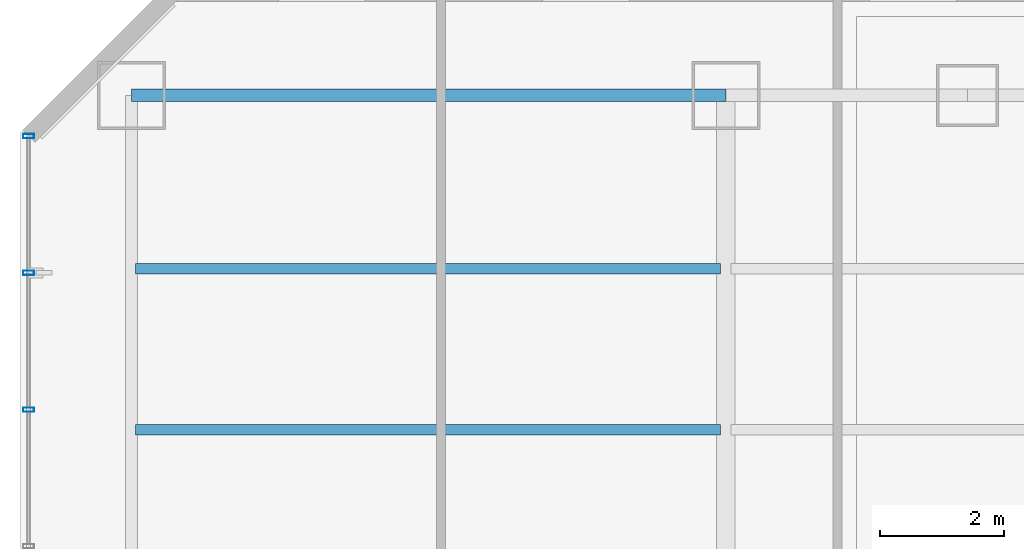
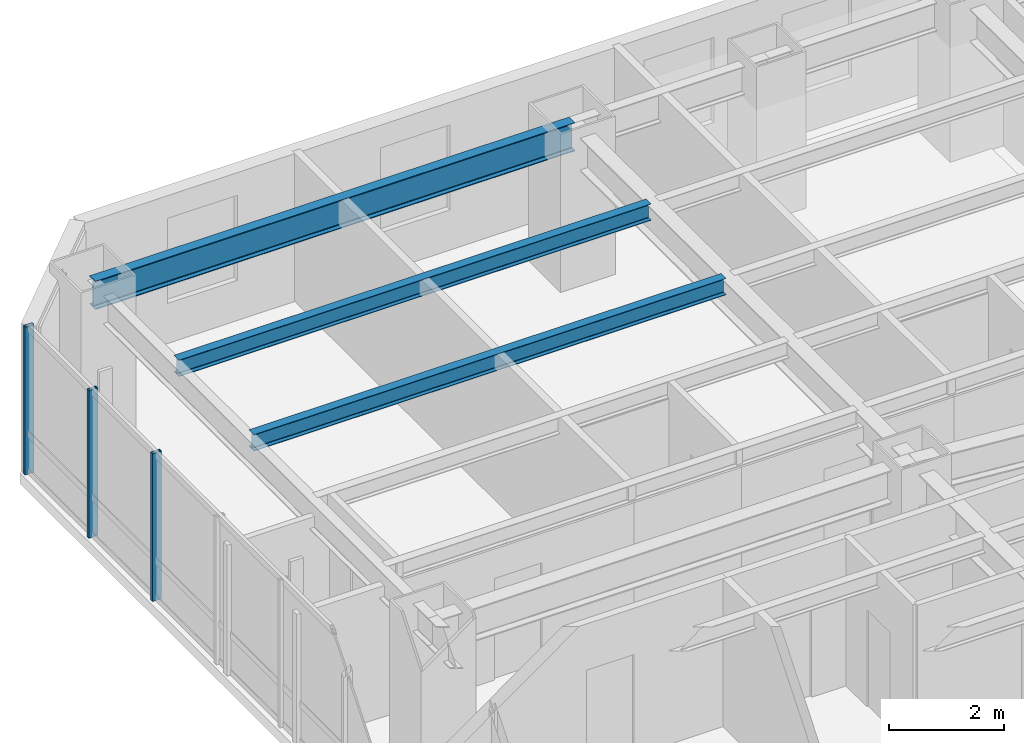
# One storey, part 16 of 37: 3 beams, 3 members, 1 element without a shape of its own.
"""IFC4 building model written with IfcOpenShell, lengths in metres."""

from ifc_helpers import new_model, si_unit, direction, frame, origin, origin_2d, place, context, subcontext, project, spatial, hollow_rectangle, i_section, extrude, material, layer, layer_set, material_profile, profile_set, type_object, element, aggregate, save


model = new_model("IFC4")

# Units and contexts
model_context = context("Model", 3, precision=1e-05, world=origin(), true_north=direction((0.0, 1.0)))
body_context = subcontext(model_context, "Body", "Model", "MODEL_VIEW")
ifc_project = project(units=[si_unit("LENGTHUNIT", "METRE"), si_unit("AREAUNIT", "SQUARE_METRE"), si_unit("VOLUMEUNIT", "CUBIC_METRE"), si_unit("PLANEANGLEUNIT", "RADIAN"), si_unit("MASSUNIT", "GRAM", prefix="KILO")], contexts=[model_context])

# Site, building, storey
site_placement = place(None, origin())
site = spatial("IfcSite", under=ifc_project, at=site_placement, CompositionType="ELEMENT")
building_placement = place(site_placement, origin())
building = spatial("IfcBuilding", under=site, at=building_placement, Name="Hatsunagi Terrace Concourse", CompositionType="ELEMENT")
storey_placement = place(building_placement, frame((0.0, 0.0, 50.0)))
storey = spatial("IfcBuildingStorey", under=building, at=storey_placement, Name="L12", CompositionType="ELEMENT", Elevation=50.0)

# Curtain wall, members
ifc_material_1 = material(Name="Anodised Aluminium Alloy 6063-T5", Category="aluminium")
ifc_layer = layer(ifc_material_1, 0.199951171875)
ifc_layer_set = layer_set([ifc_layer], Name="HotelFacade_CW02")
curtain_wall_type = type_object("IfcCurtainWallType", Name="HotelFacade_CW02", PredefinedType="NOTDEFINED", material=ifc_layer_set)
curtain_wall_placement = place(storey_placement, origin())
curtain_wall = element("IfcCurtainWall", 1, at=curtain_wall_placement, inside=storey, type_object=curtain_wall_type, Name="Unitised Curtain Wall CW-02 CW-L12-09", PredefinedType="NOTDEFINED")
ifc_material_2 = material(Name="Anodised Aluminium Alloy 6063-T5", Category="aluminium")
ifc_material_profile_1 = material_profile(ifc_material_2, hollow_rectangle(XDim=0.070068359375, YDim=0.179931640625, WallThickness=0.00390625, at=origin_2d()), Name="ALU-MUL-180x70x4")
ifc_profile_set_1 = profile_set([ifc_material_profile_1], Name="Anodised Aluminium Alloy 6063-T5")
member_type = type_object("IfcMemberType", Name="CurtainWallMullion_180x70", PredefinedType="MULLION", material=ifc_profile_set_1)
member_1_placement = place(storey_placement, frame((0.139892578125, 43.52490234375, 0.0), z_axis=(0.0, 0.0, 1.0), x_axis=(0.0, 1.0, 0.0)))
member_1 = element("IfcMember", 2, at=member_1_placement, type_object=member_type, Name="Curtain Wall Mullion MUL-02", PredefinedType="MULLION", context=body_context, shape_type="SweptSolid", body=[
    extrude(hollow_rectangle(XDim=0.070068359375, YDim=0.179931640625, WallThickness=0.00390625, at=origin_2d()), origin(), (0.0, 0.0, 1.0), 3.1298828125),
])
member_2_placement = place(storey_placement, frame((0.139892578125, 45.73388671875, 0.0), z_axis=(0.0, 0.0, 1.0), x_axis=(0.0, 1.0, 0.0)))
member_2 = element("IfcMember", 3, at=member_2_placement, type_object=member_type, Name="Curtain Wall Mullion MUL-02", PredefinedType="MULLION", context=body_context, shape_type="SweptSolid", body=[
    extrude(hollow_rectangle(XDim=0.070068359375, YDim=0.179931640625, WallThickness=0.00390625, at=origin_2d()), origin(), (0.0, 0.0, 1.0), 3.1298828125),
])
member_3_placement = place(storey_placement, frame((0.139892578125, 47.94189453125, 0.0), z_axis=(0.0, 0.0, 1.0), x_axis=(0.0, 1.0, 0.0)))
member_3 = element("IfcMember", 4, at=member_3_placement, type_object=member_type, Name="Curtain Wall Mullion MUL-02", PredefinedType="MULLION", context=body_context, shape_type="SweptSolid", body=[
    extrude(hollow_rectangle(XDim=0.070068359375, YDim=0.179931640625, WallThickness=0.00390625, at=origin_2d()), origin(), (0.0, 0.0, 1.0), 3.1298828125),
])
aggregate(curtain_wall, [member_1, member_2, member_3])

# Beams
ifc_material_3 = material(Name="Steel SN490B", Category="steel")
ifc_material_profile_2 = material_profile(ifc_material_3, i_section(OverallWidth=0.175048828125, OverallDepth=0.35009765625, WebThickness=0.007080078125, FlangeThickness=0.010986328125, FilletRadius=0.012939453125, at=origin_2d()), Name="H-350x175x7x11")
ifc_profile_set_2 = profile_set([ifc_material_profile_2], Name="Steel SN490B")
beam_type_1 = type_object("IfcBeamType", Name="HotelJoist_H_350x175", PredefinedType="JOIST", material=ifc_profile_set_2)
for number, where, z_axis, x_axis, name in (
    (5, (1.864990234375, 43.199951171875, 2.955078125), (1.0, 0.0, 0.0), (0.0, 1.0, 0.0), "Beam J-02 J-L12-W-1-432"),
    (6, (1.864990234375, 45.800048828125, 2.955078125), (1.0, 0.0, 0.0), (0.0, 1.0, 0.0), "Beam J-02 J-L12-W-1-458"),
):
    element("IfcBeam", number, at=place(storey_placement, frame(where, z_axis=z_axis, x_axis=x_axis)), inside=storey, type_object=beam_type_1, Name=name, PredefinedType="JOIST", context=body_context, shape_type="SweptSolid", body=[
        extrude(i_section(OverallWidth=0.175048828125, OverallDepth=0.35009765625, WebThickness=0.007080078125, FlangeThickness=0.010986328125, FilletRadius=0.012939453125, at=origin_2d()), origin(), (0.0, 0.0, 1.0), 9.449951171875),
    ])
ifc_material_4 = material(Name="Steel SN490B", Category="steel")
ifc_material_profile_3 = material_profile(ifc_material_4, i_section(OverallWidth=0.199951171875, OverallDepth=0.60009765625, WebThickness=0.010986328125, FlangeThickness=0.01708984375, FilletRadius=0.01806640625, at=origin_2d()), Name="H-600x200x11x17")
ifc_profile_set_3 = profile_set([ifc_material_profile_3], Name="Steel SN490B")
beam_type_2 = type_object("IfcBeamType", Name="PerimeterSpandrel_H_600x200", PredefinedType="SPANDREL", material=ifc_profile_set_3)
beam_placement = place(storey_placement, frame((1.800048828125, 48.60009765625, 2.830078125), z_axis=(1.0, 0.0, 0.0), x_axis=(0.0, 1.0, 0.0)))
element("IfcBeam", 7, at=beam_placement, inside=storey, type_object=beam_type_2, Name="Beam SP-01 BM-L12-WN-1", PredefinedType="SPANDREL", context=body_context, shape_type="SweptSolid", body=[
    extrude(i_section(OverallWidth=0.199951171875, OverallDepth=0.60009765625, WebThickness=0.010986328125, FlangeThickness=0.01708984375, FilletRadius=0.01806640625, at=origin_2d()), origin(), (0.0, 0.0, 1.0), 9.599853515625),
])

save(model, "model.ifc")
